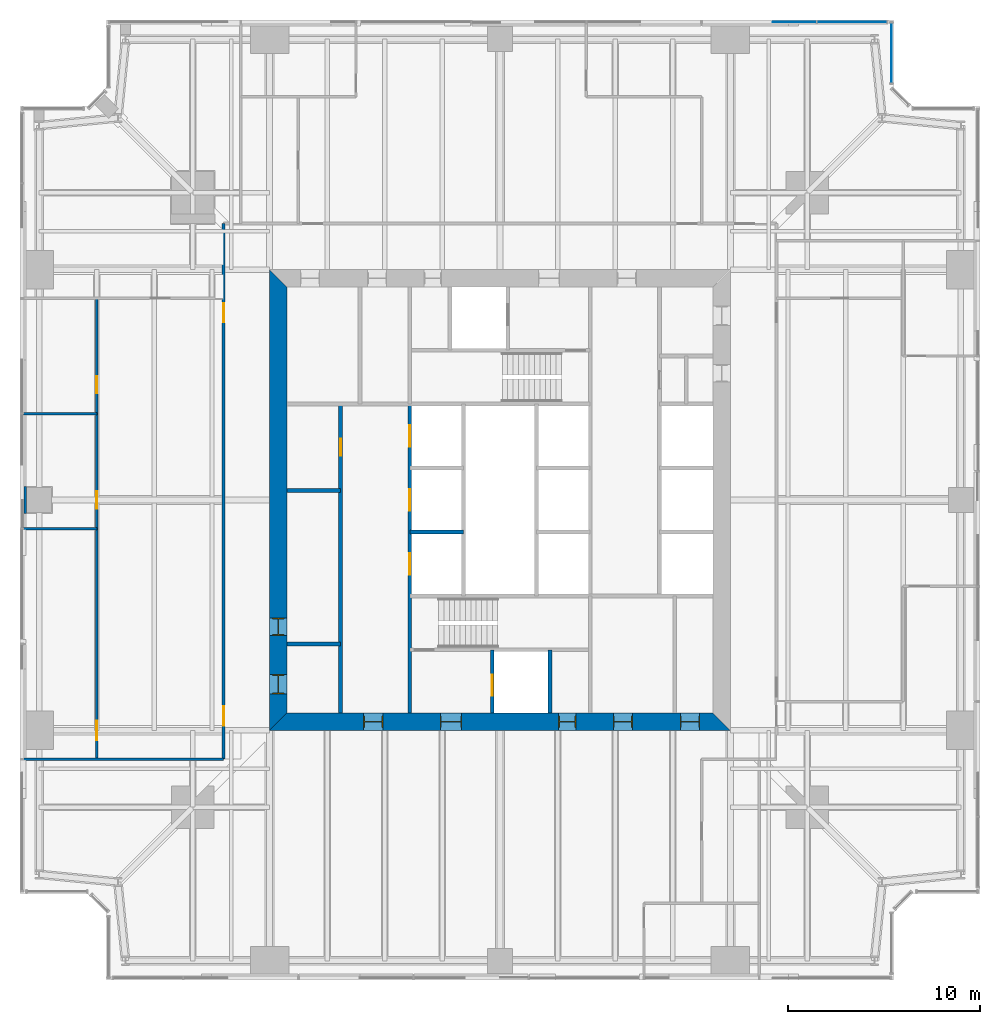
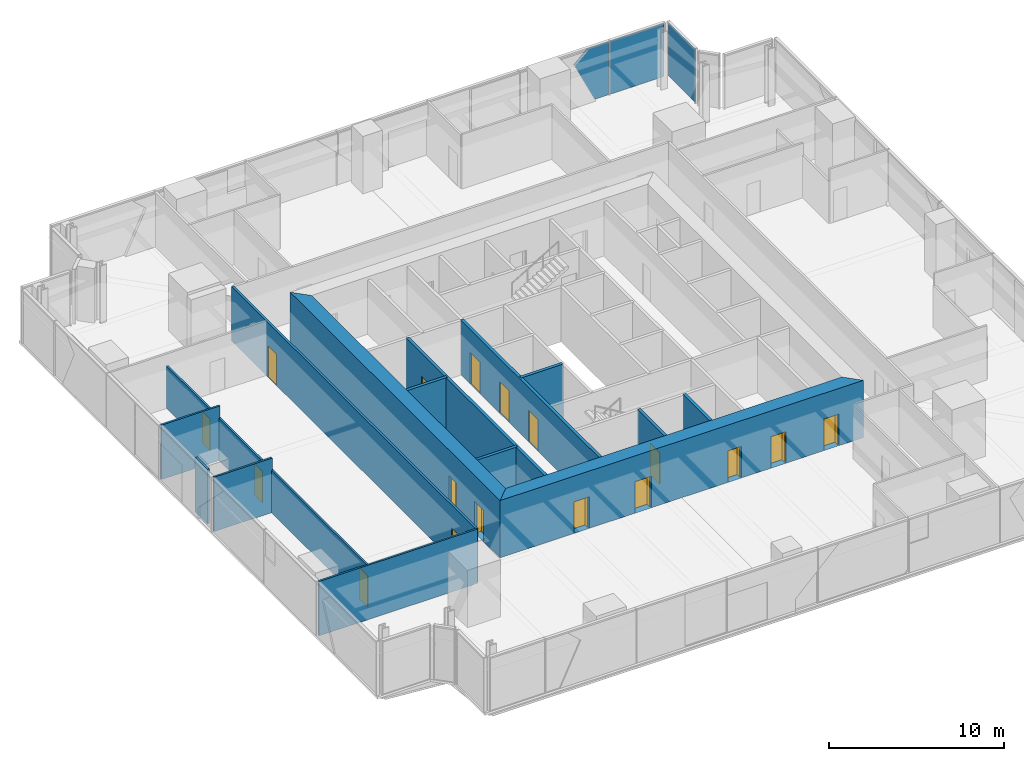
# One storey, part 9 of 13: 17 doors, 15 walls, 3 plates, 17 openings, 2 elements without a shape of their own.
"""IFC4 building model written with IfcOpenShell, lengths in metres."""

import ifcopenshell
import ifcopenshell.guid

model = None  # the IFC model being written
_history = None  # IfcOwnerHistory: only IFC2X3 demands one
_inside = {}  # id of a spatial element -> (the spatial element, [elements in it])
_under = {}  # id of a project, library or spatial element -> (it, [spatial elements below it])
_declared = {}  # id of a project -> (the project, [libraries it declares])
_typed = {}  # id of a type object -> (the type object, [elements of that type])
_made_of = {}  # id of a material, layer set ... -> (it, [elements and type objects made of it])


def new_model(schema):
    """Start an empty IFC model of exactly this schema.

    Asked for "IFC4X3", IfcOpenShell would pick the latest addendum, in which some entities
    have other attributes; the version numbers below select the first issue.
    IFC2X3 requires an IfcOwnerHistory on every rooted entity: one is made here for all.
    """
    global model, _history
    if schema == "IFC4X3":
        model = ifcopenshell.file(schema_version=(4, 3, 0, 0))
    else:
        model = ifcopenshell.file(schema=schema)
    _inside.clear()
    _under.clear()
    _declared.clear()
    _typed.clear()
    _made_of.clear()
    _history = None
    if model.schema == "IFC2X3":
        org = make("IfcOrganization", Name="unknown")
        user = make(
            "IfcPersonAndOrganization",
            ThePerson=make("IfcPerson", FamilyName="unknown"),
            TheOrganization=org,
        )
        app = make(
            "IfcApplication",
            ApplicationDeveloper=org,
            Version="unknown",
            ApplicationFullName="unknown",
            ApplicationIdentifier="unknown",
        )
        _history = make(
            "IfcOwnerHistory",
            OwningUser=user,
            OwningApplication=app,
            ChangeAction="ADDED",
            CreationDate=0,
        )
    return model


def make(cls, **values):
    """One entity of the class cls with the attributes given. An attribute that is None is left unset."""
    return model.create_entity(
        cls, **{name: value for name, value in values.items() if value is not None}
    )


def rooted(cls, **values):
    """An entity with a GlobalId (a new one), such as an element, a storey or a relation."""
    return make(cls, GlobalId=ifcopenshell.guid.new(), OwnerHistory=_history, **values)


def si_unit(unit_type, name, prefix=None):
    """IfcSIUnit, for example si_unit("LENGTHUNIT", "METRE", prefix="MILLI")."""
    return make("IfcSIUnit", UnitType=unit_type, Prefix=prefix, Name=name)


def assignment(units):
    """IfcUnitAssignment: the units of a project."""
    return None if units is None else make("IfcUnitAssignment", Units=units)


def point(xyz):
    """IfcCartesianPoint."""
    return None if xyz is None else make("IfcCartesianPoint", Coordinates=xyz)


def direction(xyz):
    """IfcDirection."""
    return None if xyz is None else make("IfcDirection", DirectionRatios=xyz)


def frame(location, z_axis=None, x_axis=None):
    """IfcAxis2Placement3D, a coordinate frame: its origin and axes. An axis left out is left unset."""
    return make(
        "IfcAxis2Placement3D",
        Location=point(location),
        Axis=direction(z_axis),
        RefDirection=direction(x_axis),
    )


def frame_2d(location, x_axis=None):
    """IfcAxis2Placement2D, a coordinate frame in the plane: its origin and x axis."""
    return make(
        "IfcAxis2Placement2D", Location=point(location), RefDirection=direction(x_axis)
    )


def origin():
    """The frame at (0, 0, 0) with its axes left unset."""
    return frame((0.0, 0.0, 0.0))


def origin_2d():
    """The frame at (0, 0) in the plane with its x axis left unset."""
    return frame_2d((0.0, 0.0))


def place(relative_to, where):
    """IfcLocalPlacement: puts the frame where relative to a parent placement (None: the world)."""
    return make(
        "IfcLocalPlacement", PlacementRelTo=relative_to, RelativePlacement=where
    )


def context(
    kind, dimensions, precision=None, world=None, true_north=None, identifier=None
):
    """IfcGeometricRepresentationContext, for example the 3D "Model" context."""
    return make(
        "IfcGeometricRepresentationContext",
        ContextIdentifier=identifier,
        ContextType=kind,
        CoordinateSpaceDimension=dimensions,
        Precision=precision,
        WorldCoordinateSystem=world,
        TrueNorth=true_north,
    )


def subcontext(parent, identifier, kind, view, scale=None):
    """IfcGeometricRepresentationSubContext, for example "Body" below "Model"."""
    return make(
        "IfcGeometricRepresentationSubContext",
        ContextIdentifier=identifier,
        ContextType=kind,
        ParentContext=parent,
        TargetScale=scale,
        TargetView=view,
    )


def project(units=None, contexts=None):
    """IfcProject with its units and contexts."""
    return rooted(
        "IfcProject",
        Name="project",
        RepresentationContexts=contexts,
        UnitsInContext=assignment(units),
    )


def spatial(cls, under=None, at=None, **own):
    """A site, building, storey or space (cls), placed at a placement, below another one or the project."""
    s = rooted(cls, ObjectPlacement=at, **own)
    if under is not None:
        _under.setdefault(under.id(), (under, []))[1].append(s)
    return s


def polyline(points):
    """IfcPolyline through the points."""
    return make("IfcPolyline", Points=[point(p) for p in points])


def profile(cls, at=None, kind="AREA", **sizes):
    """A parametric profile (cls). Its sizes go by their IFC names, for example OverallWidth=200.0."""
    return make(cls, ProfileType=kind, Position=at, **sizes)


def rectangle(**sizes):
    """IfcRectangleProfileDef."""
    return profile("IfcRectangleProfileDef", **sizes)


def outline(outer, holes=None, kind="AREA"):
    """IfcArbitraryClosedProfileDef: a profile drawn as a closed curve; with holes, ...WithVoids."""
    if holes is None:
        return make("IfcArbitraryClosedProfileDef", ProfileType=kind, OuterCurve=outer)
    return make(
        "IfcArbitraryProfileDefWithVoids",
        ProfileType=kind,
        OuterCurve=outer,
        InnerCurves=holes,
    )


def extrude(swept, where, along, depth):
    """IfcExtrudedAreaSolid: the profile swept, set in the frame where, extruded along a direction by depth."""
    return make(
        "IfcExtrudedAreaSolid",
        SweptArea=swept,
        Position=where,
        ExtrudedDirection=direction(along),
        Depth=depth,
    )


def shape(context_of_items, identifier, shape_type, items):
    """IfcShapeRepresentation: the items that make up one representation, for example the "Body"."""
    return make(
        "IfcShapeRepresentation",
        ContextOfItems=context_of_items,
        RepresentationIdentifier=identifier,
        RepresentationType=shape_type,
        Items=items,
    )


def material(Name=None, Category=None):
    """IfcMaterial."""
    return make("IfcMaterial", Name=Name, Category=Category)


def layer(
    of_material, thickness, ventilated=None, Name=None, Category=None, Priority=None
):
    """IfcMaterialLayer: one layer of a wall or slab, of a material (None: an air gap)."""
    return make(
        "IfcMaterialLayer",
        Material=of_material,
        LayerThickness=thickness,
        IsVentilated=ventilated,
        Name=Name,
        Category=Category,
        Priority=Priority,
    )


def layer_set(layers, Name=None):
    """IfcMaterialLayerSet."""
    return make("IfcMaterialLayerSet", MaterialLayers=layers, LayerSetName=Name)


def made_of(thing, what):
    """Note that an element or type object is made of a material, layer set ...; save() writes the relation."""
    if what is not None:
        _made_of.setdefault(what.id(), (what, []))[1].append(thing)
    return thing


def type_object(cls, material=None, **own):
    """A type object (cls), such as IfcWallType, which elements share."""
    return made_of(rooted(cls, **own), material)


def element(
    cls,
    number,
    at=None,
    inside=None,
    cuts=None,
    type_object=None,
    material=None,
    context=None,
    identifier="Body",
    shape_type=None,
    held_by="IfcProductDefinitionShape",
    body=None,
    shapes=None,
    **own,
):
    """One element of the class cls, such as IfcWall. Its Tag is "e" and its number.

    at: its placement. inside: the storey or other place that contains it. cuts: it is an
    opening in that element (IfcRelVoidsElement). A single representation is given by context,
    identifier, shape_type and body (its items); several are given by shapes. held_by: the class
    of the entity that holds the representations. save() writes the other relations.
    """
    e = rooted(cls, Tag="e%d" % number, ObjectPlacement=at, **own)
    if body is not None:
        shapes = [shape(context, identifier, shape_type, body)]
    if shapes is not None:
        e.Representation = make(held_by, Representations=shapes)
    if inside is not None:
        _inside.setdefault(inside.id(), (inside, []))[1].append(e)
    if cuts is not None:
        rooted(
            "IfcRelVoidsElement", RelatingBuildingElement=cuts, RelatedOpeningElement=e
        )
    if type_object is not None:
        _typed.setdefault(type_object.id(), (type_object, []))[1].append(e)
    return made_of(e, material)


def fill(opening, filler):
    """IfcRelFillsElement: the door or window that sits in an opening."""
    return rooted(
        "IfcRelFillsElement",
        RelatingOpeningElement=opening,
        RelatedBuildingElement=filler,
    )


def aggregate(whole, parts):
    """IfcRelAggregates: a whole, such as a stair, and the parts it consists of."""
    return rooted("IfcRelAggregates", RelatingObject=whole, RelatedObjects=parts)


def save(model, path):
    """Write the relations noted so far, then the file.

    IfcRelAggregates (storeys below a building ...), IfcRelContainedInSpatialStructure (elements
    in a storey), IfcRelDefinesByType, IfcRelAssociatesMaterial and IfcRelDeclares: one each for
    every whole, place, type object, material and project.
    """
    for whole, parts in _under.values():
        aggregate(whole, parts)
    for where, things in _inside.values():
        rooted(
            "IfcRelContainedInSpatialStructure",
            RelatedElements=things,
            RelatingStructure=where,
        )
    for kind, things in _typed.values():
        rooted("IfcRelDefinesByType", RelatedObjects=things, RelatingType=kind)
    for what, things in _made_of.values():
        rooted("IfcRelAssociatesMaterial", RelatedObjects=things, RelatingMaterial=what)
    for by, libraries in _declared.values():
        rooted("IfcRelDeclares", RelatingContext=by, RelatedDefinitions=libraries)
    model.write(path)


model = new_model("IFC4")

# Units and contexts
model_context = context("Model", 3, precision=1e-05, world=origin(), true_north=direction((0.0, 1.0)))
body_context = subcontext(model_context, "Body", "Model", "MODEL_VIEW")
ifc_project = project(units=[si_unit("LENGTHUNIT", "METRE"), si_unit("AREAUNIT", "SQUARE_METRE"), si_unit("VOLUMEUNIT", "CUBIC_METRE"), si_unit("PLANEANGLEUNIT", "RADIAN"), si_unit("MASSUNIT", "GRAM", prefix="KILO")], contexts=[model_context])

# Site, building, storey
site_placement = place(None, origin())
site = spatial("IfcSite", under=ifc_project, at=site_placement, CompositionType="ELEMENT")
building_placement = place(site_placement, origin())
building = spatial("IfcBuilding", under=site, at=building_placement, Name="Fenwick Lantern Interchange", CompositionType="ELEMENT")
storey_placement = place(building_placement, frame((0.0, 0.0, 158.39990234375)))
storey = spatial("IfcBuildingStorey", under=building, at=storey_placement, Name="L37", CompositionType="ELEMENT", Elevation=158.39990234375)

# Curtain wall, plate
ifc_material_1 = material(Name="Aluminium curtain wall frame", Category="aluminium")
curtain_wall_type = type_object("IfcCurtainWallType", Name="OFFICE CURTAIN WALL", PredefinedType="USERDEFINED", material=ifc_material_1)
curtain_wall_1_placement = place(storey_placement, origin())
curtain_wall_1 = element("IfcCurtainWall", 1, at=curtain_wall_1_placement, inside=storey, type_object=curtain_wall_type, Name="Office curtain wall 08", ObjectType="OFFICE CURTAIN WALL", PredefinedType="USERDEFINED")
ifc_material_2 = material(Name="Vision glass, clear low-iron double glazed", Category="glass")
ifc_layer_1 = layer(ifc_material_2, 0.031982421875)
ifc_layer_set_1 = layer_set([ifc_layer_1], Name="OFFICE CURTAIN WALL PANEL 32")
plate_type = type_object("IfcPlateType", Name="OFFICE CURTAIN WALL PANEL 32", PredefinedType="CURTAIN_PANEL", material=ifc_layer_set_1)
plate_1_placement = place(storey_placement, frame((45.39990234375, 48.279296875, 0.0), z_axis=(0.0, 0.0, 1.0), x_axis=(0.0, 1.0, 0.0)))
plate_1 = element("IfcPlate", 2, at=plate_1_placement, type_object=plate_type, Name="L37/CW/08/P00", PredefinedType="CURTAIN_PANEL", context=body_context, shape_type="SweptSolid", body=[
    extrude(rectangle(XDim=3.111328125, YDim=0.031982421875, at=origin_2d()), origin(), (0.0, 0.0, 1.0), 3.699951171875),
])
aggregate(curtain_wall_1, [plate_1])

# Curtain wall, plates
curtain_wall_2_placement = place(storey_placement, origin())
curtain_wall_2 = element("IfcCurtainWall", 3, at=curtain_wall_2_placement, inside=storey, type_object=curtain_wall_type, Name="Office curtain wall 09", ObjectType="OFFICE CURTAIN WALL", PredefinedType="USERDEFINED")
plate_2_placement = place(storey_placement, frame((43.333740234375, 49.89990234375, 0.0), z_axis=(0.0, 0.0, 1.0), x_axis=(-1.0, 0.0, 0.0)))
plate_2 = element("IfcPlate", 4, at=plate_2_placement, type_object=plate_type, Name="L37/CW/09/P00", PredefinedType="CURTAIN_PANEL", context=body_context, shape_type="SweptSolid", body=[
    extrude(rectangle(XDim=3.6025390625, YDim=0.031982421875, at=origin_2d()), origin(), (0.0, 0.0, 1.0), 3.699951171875),
])
plate_3_placement = place(storey_placement, frame((45.39990234375, 49.89990234375, 0.0), z_axis=(0.0, 0.0, 1.0), x_axis=(-1.0, 0.0, 0.0)))
plate_3 = element("IfcPlate", 5, at=plate_3_placement, type_object=plate_type, Name="L37/CW/09/P01a", PredefinedType="CURTAIN_PANEL", context=body_context, shape_type="SweptSolid", body=[
    extrude(outline(polyline([(3.9326171875, 0.0), (4.861328125, 0.0), (6.2314453125, 2.902099609375), (5.366943359375, 3.7001953125), (3.9326171875, 3.7001953125), (3.9326171875, 0.0)])), frame((0.0, 0.01611328125, 0.0), z_axis=(0.0, -1.0, 0.0), x_axis=(1.0, 0.0, 0.0)), (0.0, 0.0, 1.0), 0.031982421875),
])
aggregate(curtain_wall_2, [plate_2, plate_3])

# Wall
ifc_material_3 = material(Name="Fire-rated gypsum board encasement on steel studs, 2 hour", Category="steel")
ifc_layer_2 = layer(ifc_material_3, 1.39990234375)
ifc_layer_set_2 = layer_set([ifc_layer_2], Name="COLUMN PIER 1400")
wall_type_1 = type_object("IfcWallType", Name="COLUMN PIER 1400", PredefinedType="PARTITIONING", material=ifc_layer_set_2)
wall_1_placement = place(storey_placement, frame((0.199951171875, 25.0, 0.0), z_axis=(0.0, 0.0, 1.0), x_axis=(1.0, 0.0, 0.0)))
element("IfcWall", 6, at=wall_1_placement, inside=storey, type_object=wall_type_1, Name="L37/W/PIER/CW3", PredefinedType="PARTITIONING", context=body_context, shape_type="SweptSolid", body=[
    extrude(rectangle(XDim=0.150146484375, YDim=1.39990234375, at=frame_2d((0.0751953125, 0.0))), origin(), (0.0, 0.0, 1.0), 3.800048828125),
])

# Wall, opening, door
ifc_material_4 = material(Name="Concrete masonry ASTM C90 Grade N", Category="masonry")
ifc_layer_3 = layer(ifc_material_4, 0.199951171875)
ifc_layer_set_3 = layer_set([ifc_layer_3], Name="Concrete masonry ASTM C90 Grade N")
wall_type_2 = type_object("IfcWallType", Name="CORE PARTITION 200", PredefinedType="PARTITIONING", material=ifc_layer_set_3)
wall_2_placement = place(storey_placement, frame((16.699951171875, 13.89990234375, 0.0), z_axis=(0.0, 0.0, 1.0), x_axis=(0.0, 1.0, 0.0)))
wall_2 = element("IfcWall", 7, at=wall_2_placement, inside=storey, type_object=wall_type_2, Name="L37/W/CORES/a", PredefinedType="PARTITIONING", context=body_context, shape_type="SweptSolid", body=[
    extrude(rectangle(XDim=16.10009765625, YDim=0.199951171875, at=frame_2d((8.050048828125, 0.0))), origin(), (0.0, 0.0, 1.0), 3.800048828125),
])
opening_1_placement = place(wall_2_placement, frame((13.39990234375, 0.0, 0.0)))
opening_1 = element("IfcOpeningElement", 8, at=opening_1_placement, cuts=wall_2, Name="Opening L37-D009", PredefinedType="OPENING", context=body_context, shape_type="SweptSolid", body=[
    extrude(rectangle(XDim=0.89990234375, YDim=2.199951171875, at=frame_2d((0.449951171875, 1.10009765625))), frame((0.0, 0.10986328125, 0.0), z_axis=(0.0, -1.0, 0.0), x_axis=(1.0, 0.0, 0.0)), (0.0, 0.0, 1.0), 0.219970703125),
])
ifc_material_5 = material(Name="Steel door and frame", Category="steel")
door_type_1 = type_object("IfcDoorType", Name="SERVICE DOOR 900 X 2200", OperationType="SINGLE_SWING_LEFT", PredefinedType="DOOR", material=ifc_material_5)
door_1_placement = place(opening_1_placement, origin())
door_1 = element("IfcDoor", 9, at=door_1_placement, inside=storey, type_object=door_type_1, Name="Service door", OperationType="SINGLE_SWING_LEFT", OverallHeight=2.199951171875, OverallWidth=0.89990234375, PredefinedType="DOOR", context=body_context, shape_type="SweptSolid", body=[
    extrude(rectangle(XDim=0.89990234375, YDim=2.199951171875, at=frame_2d((0.449951171875, 1.10009765625))), frame((0.0, 0.02490234375, 0.0), z_axis=(0.0, -1.0, 0.0), x_axis=(1.0, 0.0, 0.0)), (0.0, 0.0, 1.0), 0.050048828125),
])
fill(opening_1, door_1)

# Wall
wall_3_placement = place(storey_placement, frame((20.300048828125, 23.333251953125, 0.0), z_axis=(0.0, 0.0, 1.0), x_axis=(1.0, 0.0, 0.0)))
element("IfcWall", 10, at=wall_3_placement, inside=storey, type_object=wall_type_2, Name="L37/W/CORES/e1", PredefinedType="PARTITIONING", context=body_context, shape_type="SweptSolid", body=[
    extrude(rectangle(XDim=2.800048828125, YDim=0.199951171875, at=frame_2d((1.39990234375, 0.0))), origin(), (0.0, 0.0, 1.0), 3.800048828125),
])

# Wall, opening, door
wall_4_placement = place(storey_placement, frame((24.60009765625, 13.89990234375, 0.0), z_axis=(0.0, 0.0, 1.0), x_axis=(0.0, 1.0, 0.0)))
wall_4 = element("IfcWall", 11, at=wall_4_placement, inside=storey, type_object=wall_type_2, Name="L37/W/CORES/h1", PredefinedType="PARTITIONING", context=body_context, shape_type="SweptSolid", body=[
    extrude(rectangle(XDim=3.300048828125, YDim=0.199951171875, at=frame_2d((1.64990234375, 0.0))), origin(), (0.0, 0.0, 1.0), 3.800048828125),
])
opening_2_placement = place(wall_4_placement, frame((0.89990234375, 0.0, 0.0)))
opening_2 = element("IfcOpeningElement", 12, at=opening_2_placement, cuts=wall_4, Name="Opening LD-FL1", PredefinedType="OPENING", context=body_context, shape_type="SweptSolid", body=[
    extrude(rectangle(XDim=1.10009765625, YDim=2.199951171875, at=frame_2d((0.550048828125, 1.10009765625))), frame((0.0, 0.10986328125, 0.0), z_axis=(0.0, -1.0, 0.0), x_axis=(1.0, 0.0, 0.0)), (0.0, 0.0, 1.0), 0.219970703125),
])
door_type_2 = type_object("IfcDoorType", Name="LIFT LANDING DOOR 1100 X 2200", OperationType="DOUBLE_DOOR_SLIDING", PredefinedType="DOOR", material=ifc_material_5)
door_2_placement = place(opening_2_placement, origin())
door_2 = element("IfcDoor", 13, at=door_2_placement, inside=storey, type_object=door_type_2, Name="Lift landing door FL1", OperationType="DOUBLE_DOOR_SLIDING", OverallHeight=2.199951171875, OverallWidth=1.10009765625, PredefinedType="DOOR", context=body_context, shape_type="SweptSolid", body=[
    extrude(rectangle(XDim=1.10009765625, YDim=2.199951171875, at=frame_2d((0.550048828125, 1.10009765625))), frame((0.0, 0.02490234375, 0.0), z_axis=(0.0, -1.0, 0.0), x_axis=(1.0, 0.0, 0.0)), (0.0, 0.0, 1.0), 0.050048828125),
])
fill(opening_2, door_2)

# Walls
wall_5_placement = place(storey_placement, frame((27.60009765625, 13.89990234375, 0.0), z_axis=(0.0, 0.0, 1.0), x_axis=(0.0, 1.0, 0.0)))
element("IfcWall", 14, at=wall_5_placement, inside=storey, type_object=wall_type_2, Name="L37/W/CORES/h2", PredefinedType="PARTITIONING", context=body_context, shape_type="SweptSolid", body=[
    extrude(rectangle(XDim=3.300048828125, YDim=0.199951171875, at=frame_2d((1.64990234375, 0.0))), origin(), (0.0, 0.0, 1.0), 3.800048828125),
])
for number, where, z_axis, x_axis, name in (
    (15, (13.89990234375, 17.5, 0.0), (0.0, 0.0, 1.0), (1.0, 0.0, 0.0), "L37/W/CORES/p1"),
    (16, (13.89990234375, 25.5, 0.0), (0.0, 0.0, 1.0), (1.0, 0.0, 0.0), "L37/W/CORES/p2"),
):
    element("IfcWall", number, at=place(storey_placement, frame(where, z_axis=z_axis, x_axis=x_axis)), inside=storey, type_object=wall_type_2, Name=name, PredefinedType="PARTITIONING", context=body_context, shape_type="SweptSolid", body=[
        extrude(rectangle(XDim=2.800048828125, YDim=0.199951171875, at=frame_2d((1.39990234375, 0.0))), origin(), (0.0, 0.0, 1.0), 3.800048828125),
    ])

# Wall, openings, doors
ifc_material_6 = material(Name="Concrete f'c 70 MPa", Category="concrete")
ifc_layer_4 = layer(ifc_material_6, 0.89990234375)
ifc_layer_set_4 = layer_set([ifc_layer_4], Name="CORE WALL 900")
wall_type_3 = type_object("IfcWallType", Name="CORE WALL 900", PredefinedType="SHEAR", material=ifc_layer_set_4)
wall_6_placement = place(storey_placement, frame((13.0, 13.449951171875, 0.0), z_axis=(0.0, 0.0, 1.0), x_axis=(1.0, 0.0, 0.0)))
wall_6 = element("IfcWall", 17, at=wall_6_placement, inside=storey, type_object=wall_type_3, Name="L37/CORE/S", PredefinedType="SHEAR", context=body_context, shape_type="SweptSolid", body=[
    extrude(outline(polyline([(0.0, -0.449951171875), (24.0, -0.449951171875), (23.10009765625, 0.449951171875), (0.89990234375, 0.449951171875), (0.0, -0.449951171875)])), origin(), (0.0, 0.0, 1.0), 4.0),
])
opening_3_placement = place(wall_6_placement, frame((4.89990234375, 0.0, 0.0)))
opening_3 = element("IfcOpeningElement", 18, at=opening_3_placement, cuts=wall_6, Name="Opening L37-D001", PredefinedType="OPENING", context=body_context, shape_type="SweptSolid", body=[
    extrude(rectangle(XDim=1.0, YDim=2.199951171875, at=frame_2d((0.5, 1.10009765625))), frame((0.0, 0.4599609375, 0.0), z_axis=(0.0, -1.0, 0.0), x_axis=(1.0, 0.0, 0.0)), (0.0, 0.0, 1.0), 0.919921875),
])
opening_4_placement = place(wall_6_placement, frame((8.89990234375, 0.0, 0.0)))
opening_4 = element("IfcOpeningElement", 19, at=opening_4_placement, cuts=wall_6, Name="Opening L37-D002", PredefinedType="OPENING", context=body_context, shape_type="SweptSolid", body=[
    extrude(rectangle(XDim=1.10009765625, YDim=2.199951171875, at=frame_2d((0.550048828125, 1.10009765625))), frame((0.0, 0.4599609375, 0.0), z_axis=(0.0, -1.0, 0.0), x_axis=(1.0, 0.0, 0.0)), (0.0, 0.0, 1.0), 0.919921875),
])
opening_5_placement = place(wall_6_placement, frame((15.050048828125, 0.0, 0.0)))
opening_5 = element("IfcOpeningElement", 20, at=opening_5_placement, cuts=wall_6, Name="Opening L37-D004", PredefinedType="OPENING", context=body_context, shape_type="SweptSolid", body=[
    extrude(rectangle(XDim=0.89990234375, YDim=2.199951171875, at=frame_2d((0.449951171875, 1.10009765625))), frame((0.0, 0.4599609375, 0.0), z_axis=(0.0, -1.0, 0.0), x_axis=(1.0, 0.0, 0.0)), (0.0, 0.0, 1.0), 0.919921875),
])
opening_6_placement = place(wall_6_placement, frame((17.89990234375, 0.0, 0.0)))
opening_6 = element("IfcOpeningElement", 21, at=opening_6_placement, cuts=wall_6, Name="Opening L37-D005", PredefinedType="OPENING", context=body_context, shape_type="SweptSolid", body=[
    extrude(rectangle(XDim=1.0, YDim=2.199951171875, at=frame_2d((0.5, 1.10009765625))), frame((0.0, 0.4599609375, 0.0), z_axis=(0.0, -1.0, 0.0), x_axis=(1.0, 0.0, 0.0)), (0.0, 0.0, 1.0), 0.919921875),
])
opening_7_placement = place(wall_6_placement, frame((21.39990234375, 0.0, 0.0)))
opening_7 = element("IfcOpeningElement", 22, at=opening_7_placement, cuts=wall_6, Name="Opening L37-D006", PredefinedType="OPENING", context=body_context, shape_type="SweptSolid", body=[
    extrude(rectangle(XDim=1.0, YDim=2.199951171875, at=frame_2d((0.5, 1.10009765625))), frame((0.0, 0.4599609375, 0.0), z_axis=(0.0, -1.0, 0.0), x_axis=(1.0, 0.0, 0.0)), (0.0, 0.0, 1.0), 0.919921875),
])
door_type_3 = type_object("IfcDoorType", Name="CORE LOBBY DOOR 1000 X 2200", OperationType="SINGLE_SWING_LEFT", PredefinedType="DOOR", material=ifc_material_5)
door_3_placement = place(opening_3_placement, origin())
door_3 = element("IfcDoor", 23, at=door_3_placement, inside=storey, type_object=door_type_3, Name="Core lobby door", OperationType="SINGLE_SWING_LEFT", OverallHeight=2.199951171875, OverallWidth=1.0, PredefinedType="DOOR", context=body_context, shape_type="SweptSolid", body=[
    extrude(rectangle(XDim=1.0, YDim=2.199951171875, at=frame_2d((0.5, 1.10009765625))), frame((0.0, 0.02490234375, 0.0), z_axis=(0.0, -1.0, 0.0), x_axis=(1.0, 0.0, 0.0)), (0.0, 0.0, 1.0), 0.050048828125),
    extrude(outline(polyline([(0.0, 0.0), (0.0400390625, 0.0), (0.0400390625, 2.159912109375), (0.9599609375, 2.159912109375), (0.9599609375, 0.0), (1.0, 0.0), (1.0, 2.199951171875), (0.0, 2.199951171875), (0.0, 0.0)])), frame((0.0, 0.300048828125, 0.0), z_axis=(0.0, -1.0, 0.0), x_axis=(1.0, 0.0, 0.0)), (0.0, 0.0, 1.0), 0.60009765625),
])
fill(opening_3, door_3)
door_type_4 = type_object("IfcDoorType", Name="FIRE LOBBY DOOR 1100 X 2200", OperationType="SINGLE_SWING_LEFT", PredefinedType="DOOR", material=ifc_material_5)
door_4_placement = place(opening_4_placement, origin())
door_4 = element("IfcDoor", 24, at=door_4_placement, inside=storey, type_object=door_type_4, Name="Fire lobby door", OperationType="SINGLE_SWING_LEFT", OverallHeight=2.199951171875, OverallWidth=1.10009765625, PredefinedType="DOOR", context=body_context, shape_type="SweptSolid", body=[
    extrude(rectangle(XDim=1.10009765625, YDim=2.199951171875, at=frame_2d((0.550048828125, 1.10009765625))), frame((0.0, 0.02490234375, 0.0), z_axis=(0.0, -1.0, 0.0), x_axis=(1.0, 0.0, 0.0)), (0.0, 0.0, 1.0), 0.050048828125),
    extrude(outline(polyline([(0.0, 0.0), (0.0400390625, 0.0), (0.0400390625, 2.159912109375), (1.06005859375, 2.159912109375), (1.06005859375, 0.0), (1.10009765625, 0.0), (1.10009765625, 2.199951171875), (0.0, 2.199951171875), (0.0, 0.0)])), frame((0.0, 0.300048828125, 0.0), z_axis=(0.0, -1.0, 0.0), x_axis=(1.0, 0.0, 0.0)), (0.0, 0.0, 1.0), 0.60009765625),
])
fill(opening_4, door_4)
door_5_placement = place(opening_5_placement, origin())
door_5 = element("IfcDoor", 25, at=door_5_placement, inside=storey, type_object=door_type_1, Name="Service door", OperationType="SINGLE_SWING_LEFT", OverallHeight=2.199951171875, OverallWidth=0.89990234375, PredefinedType="DOOR", context=body_context, shape_type="SweptSolid", body=[
    extrude(rectangle(XDim=0.89990234375, YDim=2.199951171875, at=frame_2d((0.449951171875, 1.10009765625))), frame((0.0, 0.02490234375, 0.0), z_axis=(0.0, -1.0, 0.0), x_axis=(1.0, 0.0, 0.0)), (0.0, 0.0, 1.0), 0.050048828125),
    extrude(outline(polyline([(0.0, 0.0), (0.0400390625, 0.0), (0.0400390625, 2.159912109375), (0.85986328125, 2.159912109375), (0.85986328125, 0.0), (0.89990234375, 0.0), (0.89990234375, 2.199951171875), (0.0, 2.199951171875), (0.0, 0.0)])), frame((0.0, 0.300048828125, 0.0), z_axis=(0.0, -1.0, 0.0), x_axis=(1.0, 0.0, 0.0)), (0.0, 0.0, 1.0), 0.60009765625),
])
fill(opening_5, door_5)
ifc_material_7 = material(Name="Hardwood door and steel frame", Category="steel")
door_type_5 = type_object("IfcDoorType", Name="WC DOOR 1000 X 2200", OperationType="SINGLE_SWING_LEFT", PredefinedType="DOOR", material=ifc_material_7)
door_6_placement = place(opening_6_placement, origin())
door_6 = element("IfcDoor", 26, at=door_6_placement, inside=storey, type_object=door_type_5, Name="Wc door", OperationType="SINGLE_SWING_LEFT", OverallHeight=2.199951171875, OverallWidth=1.0, PredefinedType="DOOR", context=body_context, shape_type="SweptSolid", body=[
    extrude(rectangle(XDim=1.0, YDim=2.199951171875, at=frame_2d((0.5, 1.10009765625))), frame((0.0, 0.02490234375, 0.0), z_axis=(0.0, -1.0, 0.0), x_axis=(1.0, 0.0, 0.0)), (0.0, 0.0, 1.0), 0.050048828125),
    extrude(outline(polyline([(0.0, 0.0), (0.0400390625, 0.0), (0.0400390625, 2.159912109375), (0.9599609375, 2.159912109375), (0.9599609375, 0.0), (1.0, 0.0), (1.0, 2.199951171875), (0.0, 2.199951171875), (0.0, 0.0)])), frame((0.0, 0.300048828125, 0.0), z_axis=(0.0, -1.0, 0.0), x_axis=(1.0, 0.0, 0.0)), (0.0, 0.0, 1.0), 0.60009765625),
])
fill(opening_6, door_6)
door_7_placement = place(opening_7_placement, origin())
door_7 = element("IfcDoor", 27, at=door_7_placement, inside=storey, type_object=door_type_5, Name="Wc door", OperationType="SINGLE_SWING_LEFT", OverallHeight=2.199951171875, OverallWidth=1.0, PredefinedType="DOOR", context=body_context, shape_type="SweptSolid", body=[
    extrude(rectangle(XDim=1.0, YDim=2.199951171875, at=frame_2d((0.5, 1.10009765625))), frame((0.0, 0.02490234375, 0.0), z_axis=(0.0, -1.0, 0.0), x_axis=(1.0, 0.0, 0.0)), (0.0, 0.0, 1.0), 0.050048828125),
    extrude(outline(polyline([(0.0, 0.0), (0.0400390625, 0.0), (0.0400390625, 2.159912109375), (0.9599609375, 2.159912109375), (0.9599609375, 0.0), (1.0, 0.0), (1.0, 2.199951171875), (0.0, 2.199951171875), (0.0, 0.0)])), frame((0.0, 0.300048828125, 0.0), z_axis=(0.0, -1.0, 0.0), x_axis=(1.0, 0.0, 0.0)), (0.0, 0.0, 1.0), 0.60009765625),
])
fill(opening_7, door_7)

wall_7_placement = place(storey_placement, frame((13.449951171875, 36.10009765625, 0.0), z_axis=(0.0, 0.0, 1.0), x_axis=(0.0, -1.0, 0.0)))
wall_7 = element("IfcWall", 28, at=wall_7_placement, inside=storey, type_object=wall_type_3, Name="L37/CORE/W", PredefinedType="SHEAR", context=body_context, shape_type="SweptSolid", body=[
    extrude(outline(polyline([(-0.89990234375, -0.449951171875), (23.10009765625, -0.449951171875), (22.199951171875, 0.449951171875), (0.0, 0.449951171875), (-0.89990234375, -0.449951171875)])), origin(), (0.0, 0.0, 1.0), 4.0),
])
opening_8_placement = place(wall_7_placement, frame((20.199951171875, 0.0, 0.0)))
opening_8 = element("IfcOpeningElement", 29, at=opening_8_placement, cuts=wall_7, Name="Opening L37-D007", PredefinedType="OPENING", context=body_context, shape_type="SweptSolid", body=[
    extrude(rectangle(XDim=1.0, YDim=2.199951171875, at=frame_2d((0.5, 1.10009765625))), frame((0.0, 0.4599609375, 0.0), z_axis=(0.0, -1.0, 0.0), x_axis=(1.0, 0.0, 0.0)), (0.0, 0.0, 1.0), 0.919921875),
])
opening_9_placement = place(wall_7_placement, frame((17.25, 0.0, 0.0)))
opening_9 = element("IfcOpeningElement", 30, at=opening_9_placement, cuts=wall_7, Name="Opening L37-D008", PredefinedType="OPENING", context=body_context, shape_type="SweptSolid", body=[
    extrude(rectangle(XDim=0.89990234375, YDim=2.199951171875, at=frame_2d((0.449951171875, 1.10009765625))), frame((0.0, 0.4599609375, 0.0), z_axis=(0.0, -1.0, 0.0), x_axis=(1.0, 0.0, 0.0)), (0.0, 0.0, 1.0), 0.919921875),
])
door_8_placement = place(opening_9_placement, origin())
door_8 = element("IfcDoor", 31, at=door_8_placement, inside=storey, type_object=door_type_1, Name="Service door", OperationType="SINGLE_SWING_RIGHT", OverallHeight=2.199951171875, OverallWidth=0.89990234375, PredefinedType="DOOR", context=body_context, shape_type="SweptSolid", body=[
    extrude(rectangle(XDim=0.89990234375, YDim=2.199951171875, at=frame_2d((0.449951171875, 1.10009765625))), frame((0.0, 0.02490234375, 0.0), z_axis=(0.0, -1.0, 0.0), x_axis=(1.0, 0.0, 0.0)), (0.0, 0.0, 1.0), 0.050048828125),
    extrude(outline(polyline([(0.0, 0.0), (0.0400390625, 0.0), (0.0400390625, 2.159912109375), (0.85986328125, 2.159912109375), (0.85986328125, 0.0), (0.89990234375, 0.0), (0.89990234375, 2.199951171875), (0.0, 2.199951171875), (0.0, 0.0)])), frame((0.0, 0.300048828125, 0.0), z_axis=(0.0, -1.0, 0.0), x_axis=(1.0, 0.0, 0.0)), (0.0, 0.0, 1.0), 0.60009765625),
])
fill(opening_9, door_8)
door_9_placement = place(opening_8_placement, origin())
door_9 = element("IfcDoor", 32, at=door_9_placement, inside=storey, type_object=door_type_5, Name="Wc door", OperationType="SINGLE_SWING_RIGHT", OverallHeight=2.199951171875, OverallWidth=1.0, PredefinedType="DOOR", context=body_context, shape_type="SweptSolid", body=[
    extrude(rectangle(XDim=1.0, YDim=2.199951171875, at=frame_2d((0.5, 1.10009765625))), frame((0.0, 0.02490234375, 0.0), z_axis=(0.0, -1.0, 0.0), x_axis=(1.0, 0.0, 0.0)), (0.0, 0.0, 1.0), 0.050048828125),
    extrude(outline(polyline([(0.0, 0.0), (0.0400390625, 0.0), (0.0400390625, 2.159912109375), (0.9599609375, 2.159912109375), (0.9599609375, 0.0), (1.0, 0.0), (1.0, 2.199951171875), (0.0, 2.199951171875), (0.0, 0.0)])), frame((0.0, 0.300048828125, 0.0), z_axis=(0.0, -1.0, 0.0), x_axis=(1.0, 0.0, 0.0)), (0.0, 0.0, 1.0), 0.60009765625),
])
fill(opening_8, door_9)

ifc_material_8 = material(Name="Gypsum board on steel studs, 1 hour", Category="steel")
ifc_layer_5 = layer(ifc_material_8, 0.14990234375)
ifc_layer_set_5 = layer_set([ifc_layer_5], Name="CORRIDOR WALL 150")
wall_type_4 = type_object("IfcWallType", Name="CORRIDOR WALL 150", PredefinedType="PARTITIONING", material=ifc_layer_set_5)
wall_8_placement = place(storey_placement, frame((10.60009765625, 39.39990234375, 0.0), z_axis=(0.0, 0.0, 1.0), x_axis=(0.0, -1.0, 0.0)))
wall_8 = element("IfcWall", 33, at=wall_8_placement, inside=storey, type_object=wall_type_4, Name="L37/W/OFF/W/CW2", PredefinedType="PARTITIONING", context=body_context, shape_type="SweptSolid", body=[
    extrude(rectangle(XDim=27.89990234375, YDim=0.14990234375, at=frame_2d((13.949951171875, 0.0))), origin(), (0.0, 0.0, 1.0), 3.800048828125),
])
opening_10_placement = place(wall_8_placement, frame((4.14990234375, 0.0, 0.0)))
opening_10 = element("IfcOpeningElement", 34, at=opening_10_placement, cuts=wall_8, Name="Opening L37-D033", PredefinedType="OPENING", context=body_context, shape_type="SweptSolid", body=[
    extrude(rectangle(XDim=1.0, YDim=2.199951171875, at=frame_2d((0.5, 1.10009765625))), frame((0.0, 0.0849609375, 0.0), z_axis=(0.0, -1.0, 0.0), x_axis=(1.0, 0.0, 0.0)), (0.0, 0.0, 1.0), 0.169921875),
])
opening_11_placement = place(wall_8_placement, frame((25.14990234375, 0.0, 0.0)))
opening_11 = element("IfcOpeningElement", 35, at=opening_11_placement, cuts=wall_8, Name="Opening L37-D034", PredefinedType="OPENING", context=body_context, shape_type="SweptSolid", body=[
    extrude(rectangle(XDim=1.0, YDim=2.199951171875, at=frame_2d((0.5, 1.10009765625))), frame((0.0, 0.0849609375, 0.0), z_axis=(0.0, -1.0, 0.0), x_axis=(1.0, 0.0, 0.0)), (0.0, 0.0, 1.0), 0.169921875),
])
door_type_6 = type_object("IfcDoorType", Name="SUITE ENTRANCE DOOR 1000 X 2200", OperationType="SINGLE_SWING_LEFT", PredefinedType="DOOR", material=ifc_material_5)
door_10_placement = place(opening_10_placement, origin())
door_10 = element("IfcDoor", 36, at=door_10_placement, inside=storey, type_object=door_type_6, Name="Suite entrance door", OperationType="SINGLE_SWING_LEFT", OverallHeight=2.199951171875, OverallWidth=1.0, PredefinedType="DOOR", context=body_context, shape_type="SweptSolid", body=[
    extrude(rectangle(XDim=1.0, YDim=2.199951171875, at=frame_2d((0.5, 1.10009765625))), frame((0.0, 0.02490234375, 0.0), z_axis=(0.0, -1.0, 0.0), x_axis=(1.0, 0.0, 0.0)), (0.0, 0.0, 1.0), 0.050048828125),
])
fill(opening_10, door_10)
door_11_placement = place(opening_11_placement, origin())
door_11 = element("IfcDoor", 37, at=door_11_placement, inside=storey, type_object=door_type_6, Name="Suite entrance door", OperationType="SINGLE_SWING_RIGHT", OverallHeight=2.199951171875, OverallWidth=1.0, PredefinedType="DOOR", context=body_context, shape_type="SweptSolid", body=[
    extrude(rectangle(XDim=1.0, YDim=2.199951171875, at=frame_2d((0.5, 1.10009765625))), frame((0.0, 0.02490234375, 0.0), z_axis=(0.0, -1.0, 0.0), x_axis=(1.0, 0.0, 0.0)), (0.0, 0.0, 1.0), 0.050048828125),
])
fill(opening_11, door_11)

# Walls
ifc_material_9 = material(Name="Gypsum board on steel studs, acoustic", Category="steel")
ifc_layer_6 = layer(ifc_material_9, 0.125)
ifc_layer_set_6 = layer_set([ifc_layer_6], Name="OFFICE PARTITION 125")
wall_type_5 = type_object("IfcWallType", Name="OFFICE PARTITION 125", PredefinedType="PARTITIONING", material=ifc_layer_set_6)
wall_9_placement = place(storey_placement, frame((0.14990234375, 11.5, 0.0), z_axis=(0.0, 0.0, 1.0), x_axis=(1.0, 0.0, 0.0)))
element("IfcWall", 38, at=wall_9_placement, inside=storey, type_object=wall_type_5, Name="L37/W/OFF/S/BACK", PredefinedType="PARTITIONING", context=body_context, shape_type="SweptSolid", body=[
    extrude(rectangle(XDim=10.4501953125, YDim=0.125, at=frame_2d((5.22509765625, 0.0))), origin(), (0.0, 0.0, 1.0), 3.800048828125),
])
for number, where, z_axis, x_axis, name in (
    (39, (0.14990234375, 29.5, 0.0), (0.0, 0.0, 1.0), (1.0, 0.0, 0.0), "L37/W/OFF/W/X205-1"),
    (40, (0.14990234375, 23.5, 0.0), (0.0, 0.0, 1.0), (1.0, 0.0, 0.0), "L37/W/OFF/W/X265-1"),
):
    element("IfcWall", number, at=place(storey_placement, frame(where, z_axis=z_axis, x_axis=x_axis)), inside=storey, type_object=wall_type_5, Name=name, PredefinedType="PARTITIONING", context=body_context, shape_type="SweptSolid", body=[
        extrude(rectangle(XDim=3.85009765625, YDim=0.125, at=frame_2d((1.925048828125, 0.0))), origin(), (0.0, 0.0, 1.0), 3.800048828125),
    ])

# Wall, openings, doors
wall_10_placement = place(storey_placement, frame((4.0, 35.5, 0.0), z_axis=(0.0, 0.0, 1.0), x_axis=(0.0, -1.0, 0.0)))
wall_10 = element("IfcWall", 41, at=wall_10_placement, inside=storey, type_object=wall_type_5, Name="L37/W/OFF/W/Y40-1", PredefinedType="PARTITIONING", context=body_context, shape_type="SweptSolid", body=[
    extrude(rectangle(XDim=24.0, YDim=0.125, at=frame_2d((12.0, 0.0))), origin(), (0.0, 0.0, 1.0), 2.954345703125),
])
opening_12_placement = place(wall_10_placement, frame((4.050048828125, 0.0, 0.0)))
opening_12 = element("IfcOpeningElement", 42, at=opening_12_placement, cuts=wall_10, Name="Opening L37-D036", PredefinedType="OPENING", context=body_context, shape_type="SweptSolid", body=[
    extrude(rectangle(XDim=0.89990234375, YDim=2.199951171875, at=frame_2d((0.449951171875, 1.10009765625))), frame((0.0, 0.072509765625, 0.0), z_axis=(0.0, -1.0, 0.0), x_axis=(1.0, 0.0, 0.0)), (0.0, 0.0, 1.0), 0.14501953125),
])
opening_13_placement = place(wall_10_placement, frame((10.050048828125, 0.0, 0.0)))
opening_13 = element("IfcOpeningElement", 43, at=opening_13_placement, cuts=wall_10, Name="Opening L37-D037", PredefinedType="OPENING", context=body_context, shape_type="SweptSolid", body=[
    extrude(rectangle(XDim=0.89990234375, YDim=2.199951171875, at=frame_2d((0.449951171875, 1.10009765625))), frame((0.0, 0.072509765625, 0.0), z_axis=(0.0, -1.0, 0.0), x_axis=(1.0, 0.0, 0.0)), (0.0, 0.0, 1.0), 0.14501953125),
])
opening_14_placement = place(wall_10_placement, frame((22.0, 0.0, 0.0)))
opening_14 = element("IfcOpeningElement", 44, at=opening_14_placement, cuts=wall_10, Name="Opening L37-D038", PredefinedType="OPENING", context=body_context, shape_type="SweptSolid", body=[
    extrude(rectangle(XDim=1.0, YDim=2.199951171875, at=frame_2d((0.5, 1.10009765625))), frame((0.0, 0.072509765625, 0.0), z_axis=(0.0, -1.0, 0.0), x_axis=(1.0, 0.0, 0.0)), (0.0, 0.0, 1.0), 0.14501953125),
])
door_type_7 = type_object("IfcDoorType", Name="MEETING ROOM DOOR 1000 X 2200", OperationType="SINGLE_SWING_LEFT", PredefinedType="DOOR", material=ifc_material_7)
door_12_placement = place(opening_14_placement, frame((1.0, 0.0, 0.0), z_axis=(0.0, 0.0, 1.0), x_axis=(-1.0, 0.0, 0.0)))
door_12 = element("IfcDoor", 45, at=door_12_placement, inside=storey, type_object=door_type_7, Name="Meeting room door", OperationType="SINGLE_SWING_LEFT", OverallHeight=2.199951171875, OverallWidth=1.0, PredefinedType="DOOR", context=body_context, shape_type="SweptSolid", body=[
    extrude(rectangle(XDim=1.0, YDim=2.199951171875, at=frame_2d((0.5, 1.10009765625))), frame((0.0, 0.02490234375, 0.0), z_axis=(0.0, -1.0, 0.0), x_axis=(1.0, 0.0, 0.0)), (0.0, 0.0, 1.0), 0.050048828125),
])
fill(opening_14, door_12)
door_type_8 = type_object("IfcDoorType", Name="OFFICE DOOR 900 X 2200", OperationType="SINGLE_SWING_LEFT", PredefinedType="DOOR", material=ifc_material_7)
door_13_placement = place(opening_12_placement, frame((0.89990234375, 0.0, 0.0), z_axis=(0.0, 0.0, 1.0), x_axis=(-1.0, 0.0, 0.0)))
door_13 = element("IfcDoor", 46, at=door_13_placement, inside=storey, type_object=door_type_8, Name="Office door", OperationType="SINGLE_SWING_LEFT", OverallHeight=2.199951171875, OverallWidth=0.89990234375, PredefinedType="DOOR", context=body_context, shape_type="SweptSolid", body=[
    extrude(rectangle(XDim=0.89990234375, YDim=2.199951171875, at=frame_2d((0.449951171875, 1.10009765625))), frame((0.0, 0.02490234375, 0.0), z_axis=(0.0, -1.0, 0.0), x_axis=(1.0, 0.0, 0.0)), (0.0, 0.0, 1.0), 0.050048828125),
])
fill(opening_12, door_13)
door_14_placement = place(opening_13_placement, frame((0.89990234375, 0.0, 0.0), z_axis=(0.0, 0.0, 1.0), x_axis=(-1.0, 0.0, 0.0)))
door_14 = element("IfcDoor", 47, at=door_14_placement, inside=storey, type_object=door_type_8, Name="Office door", OperationType="SINGLE_SWING_LEFT", OverallHeight=2.199951171875, OverallWidth=0.89990234375, PredefinedType="DOOR", context=body_context, shape_type="SweptSolid", body=[
    extrude(rectangle(XDim=0.89990234375, YDim=2.199951171875, at=frame_2d((0.449951171875, 1.10009765625))), frame((0.0, 0.02490234375, 0.0), z_axis=(0.0, -1.0, 0.0), x_axis=(1.0, 0.0, 0.0)), (0.0, 0.0, 1.0), 0.050048828125),
])
fill(opening_13, door_14)

ifc_material_10 = material(Name="Concrete f'c 45 MPa", Category="concrete")
ifc_layer_7 = layer(ifc_material_10, 0.199951171875)
ifc_layer_set_7 = layer_set([ifc_layer_7], Name="STAIR CORE WALL 200")
wall_type_6 = type_object("IfcWallType", Name="STAIR CORE WALL 200", PredefinedType="SOLIDWALL", material=ifc_layer_set_7)
wall_11_placement = place(storey_placement, frame((20.300048828125, 13.89990234375, 0.0), z_axis=(0.0, 0.0, 1.0), x_axis=(0.0, 1.0, 0.0)))
wall_11 = element("IfcWall", 48, at=wall_11_placement, inside=storey, type_object=wall_type_6, Name="L37/W/CORES/b", PredefinedType="SOLIDWALL", context=body_context, shape_type="SweptSolid", body=[
    extrude(rectangle(XDim=16.10009765625, YDim=0.199951171875, at=frame_2d((8.050048828125, 0.0))), origin(), (0.0, 0.0, 1.0), 3.800048828125),
])
opening_15_placement = place(wall_11_placement, frame((7.216552734375, 0.0, 0.0)))
opening_15 = element("IfcOpeningElement", 49, at=opening_15_placement, cuts=wall_11, Name="Opening LD-W2-1", PredefinedType="OPENING", context=body_context, shape_type="SweptSolid", body=[
    extrude(rectangle(XDim=1.10009765625, YDim=2.199951171875, at=frame_2d((0.550048828125, 1.10009765625))), frame((0.0, 0.10986328125, 0.0), z_axis=(0.0, -1.0, 0.0), x_axis=(1.0, 0.0, 0.0)), (0.0, 0.0, 1.0), 0.219970703125),
])
opening_16_placement = place(wall_11_placement, frame((10.550048828125, 0.0, 0.0)))
opening_16 = element("IfcOpeningElement", 50, at=opening_16_placement, cuts=wall_11, Name="Opening LD-W2-2", PredefinedType="OPENING", context=body_context, shape_type="SweptSolid", body=[
    extrude(rectangle(XDim=1.10009765625, YDim=2.199951171875, at=frame_2d((0.550048828125, 1.10009765625))), frame((0.0, 0.10986328125, 0.0), z_axis=(0.0, -1.0, 0.0), x_axis=(1.0, 0.0, 0.0)), (0.0, 0.0, 1.0), 0.219970703125),
])
opening_17_placement = place(wall_11_placement, frame((13.88330078125, 0.0, 0.0)))
opening_17 = element("IfcOpeningElement", 51, at=opening_17_placement, cuts=wall_11, Name="Opening LD-W2-3", PredefinedType="OPENING", context=body_context, shape_type="SweptSolid", body=[
    extrude(rectangle(XDim=1.10009765625, YDim=2.199951171875, at=frame_2d((0.550048828125, 1.10009765625))), frame((0.0, 0.10986328125, 0.0), z_axis=(0.0, -1.0, 0.0), x_axis=(1.0, 0.0, 0.0)), (0.0, 0.0, 1.0), 0.219970703125),
])
door_15_placement = place(opening_15_placement, origin())
door_15 = element("IfcDoor", 52, at=door_15_placement, inside=storey, type_object=door_type_2, Name="Lift landing door W2-1", OperationType="DOUBLE_DOOR_SLIDING", OverallHeight=2.199951171875, OverallWidth=1.10009765625, PredefinedType="DOOR", context=body_context, shape_type="SweptSolid", body=[
    extrude(rectangle(XDim=1.10009765625, YDim=2.199951171875, at=frame_2d((0.550048828125, 1.10009765625))), frame((0.0, 0.02490234375, 0.0), z_axis=(0.0, -1.0, 0.0), x_axis=(1.0, 0.0, 0.0)), (0.0, 0.0, 1.0), 0.050048828125),
])
fill(opening_15, door_15)
door_16_placement = place(opening_16_placement, origin())
door_16 = element("IfcDoor", 53, at=door_16_placement, inside=storey, type_object=door_type_2, Name="Lift landing door W2-2", OperationType="DOUBLE_DOOR_SLIDING", OverallHeight=2.199951171875, OverallWidth=1.10009765625, PredefinedType="DOOR", context=body_context, shape_type="SweptSolid", body=[
    extrude(rectangle(XDim=1.10009765625, YDim=2.199951171875, at=frame_2d((0.550048828125, 1.10009765625))), frame((0.0, 0.02490234375, 0.0), z_axis=(0.0, -1.0, 0.0), x_axis=(1.0, 0.0, 0.0)), (0.0, 0.0, 1.0), 0.050048828125),
])
fill(opening_16, door_16)
door_17_placement = place(opening_17_placement, origin())
door_17 = element("IfcDoor", 54, at=door_17_placement, inside=storey, type_object=door_type_2, Name="Lift landing door W2-3", OperationType="DOUBLE_DOOR_SLIDING", OverallHeight=2.199951171875, OverallWidth=1.10009765625, PredefinedType="DOOR", context=body_context, shape_type="SweptSolid", body=[
    extrude(rectangle(XDim=1.10009765625, YDim=2.199951171875, at=frame_2d((0.550048828125, 1.10009765625))), frame((0.0, 0.02490234375, 0.0), z_axis=(0.0, -1.0, 0.0), x_axis=(1.0, 0.0, 0.0)), (0.0, 0.0, 1.0), 0.050048828125),
])
fill(opening_17, door_17)

save(model, "model.ifc")
